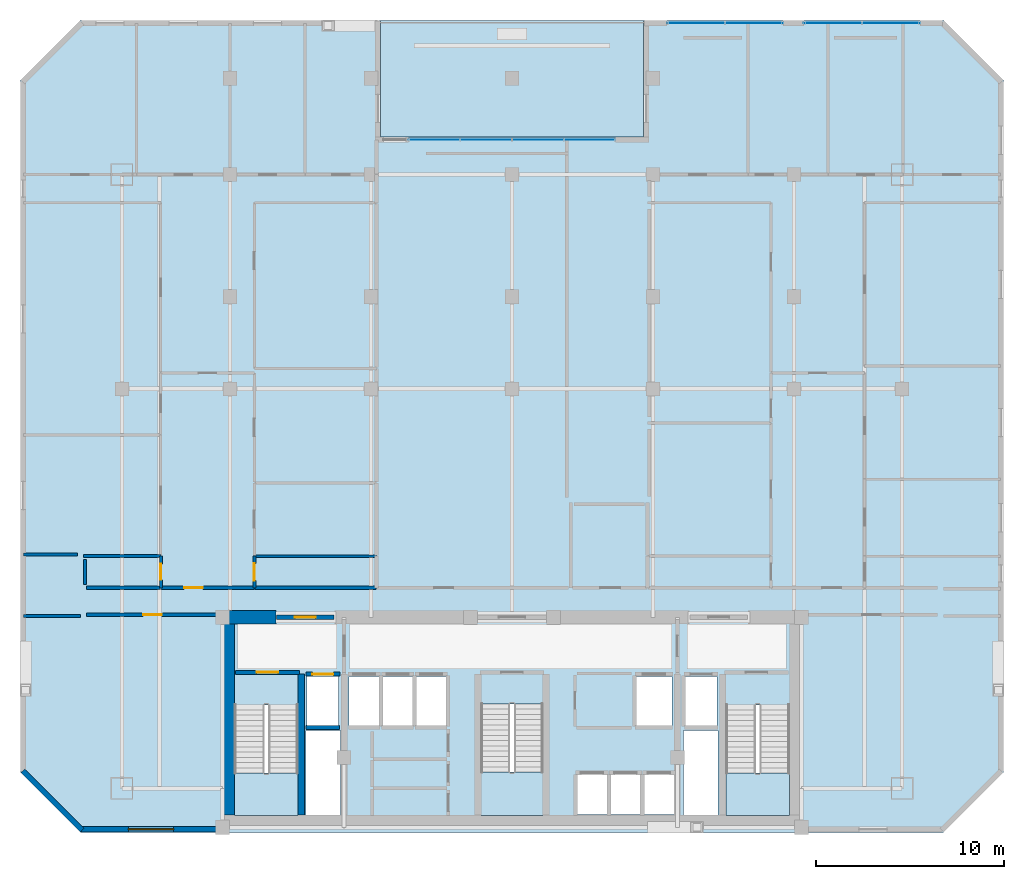
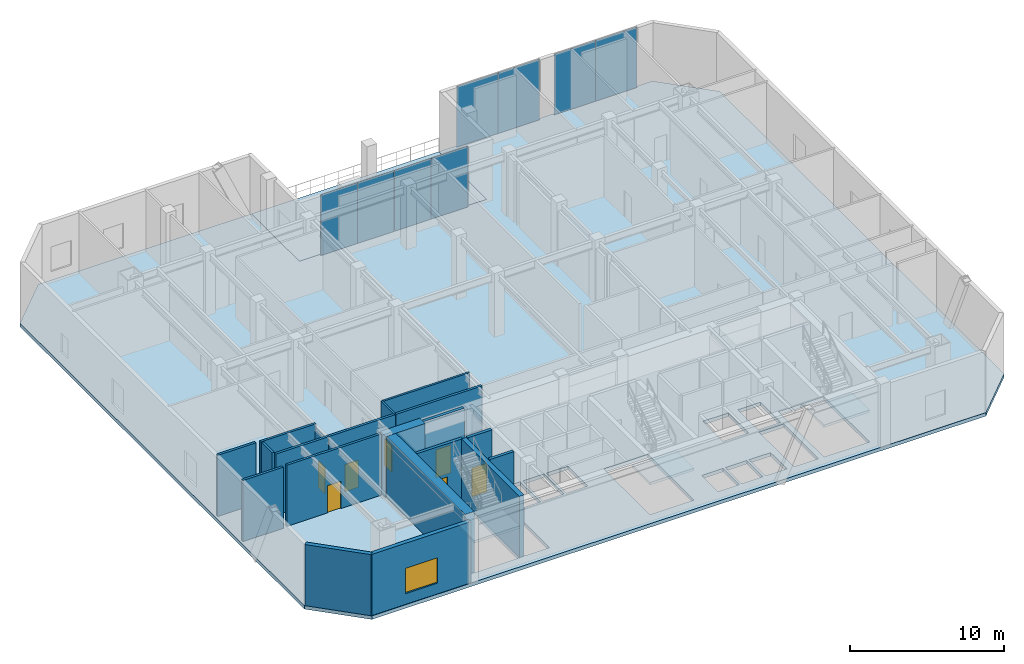
# One storey, part 5 of 11: 20 walls, 8 plates, 7 doors, 5 slabs, 1 window, 8 openings, 6 elements without a shape of their own.
"""IFC4 building model written with IfcOpenShell, lengths in metres."""

from ifc_helpers import new_model, si_unit, direction, frame, frame_2d, origin, origin_2d, place, context, subcontext, project, spatial, polyline, rectangle, outline, extrude, material, layer, layer_set, type_object, element, fill, aggregate, save


model = new_model("IFC4")

# Units and contexts
model_context = context("Model", 3, precision=1e-05, world=origin(), true_north=direction((0.0, 1.0)))
body_context = subcontext(model_context, "Body", "Model", "MODEL_VIEW")
ifc_project = project(units=[si_unit("LENGTHUNIT", "METRE"), si_unit("AREAUNIT", "SQUARE_METRE"), si_unit("VOLUMEUNIT", "CUBIC_METRE"), si_unit("PLANEANGLEUNIT", "RADIAN"), si_unit("MASSUNIT", "GRAM", prefix="KILO")], contexts=[model_context])

# Site, building, storey
site_placement = place(None, origin())
site = spatial("IfcSite", under=ifc_project, at=site_placement, CompositionType="ELEMENT")
building_placement = place(site_placement, origin())
building = spatial("IfcBuilding", under=site, at=building_placement, Name="Ventersveld Concourse Tower", CompositionType="ELEMENT")
storey_placement = place(building_placement, frame((0.0, 0.0, 140.14990234375)))
storey = spatial("IfcBuildingStorey", under=building, at=storey_placement, Name="L34", CompositionType="ELEMENT", Elevation=140.14990234375)

# Curtain wall, plates
ifc_material_1 = material(Name="Anodised aluminium EN AW-6063-T6", Category="aluminium")
curtain_wall_type_1 = type_object("IfcCurtainWallType", Name="CW-SLOB-3", PredefinedType="NOTDEFINED", material=ifc_material_1)
curtain_wall_1_placement = place(storey_placement, origin())
curtain_wall_1 = element("IfcCurtainWall", 1, at=curtain_wall_1_placement, inside=storey, type_object=curtain_wall_type_1, Name="L34 L34 Sky Lobby East Curtain Wall 1", PredefinedType="NOTDEFINED")
ifc_material_2 = material(Name="Low-E double glazing IGU", Category="glass")
ifc_layer_1 = layer(ifc_material_2, 0.02392578125)
ifc_layer_set_1 = layer_set([ifc_layer_1], Name="Low-E double glazing IGU")
plate_type = type_object("IfcPlateType", Name="CWP-GLZ-24", PredefinedType="CURTAIN_PANEL", material=ifc_layer_set_1)
plate_1_placement = place(storey_placement, frame((38.536376953125, 43.050048828125, 0.02001953125), z_axis=(0.0, 0.0, 1.0), x_axis=(1.0, 0.0, 0.0)))
plate_1 = element("IfcPlate", 2, at=plate_1_placement, type_object=plate_type, Name="CW-L34-SL-E1 Glazed Panel 01-1", PredefinedType="CURTAIN_PANEL", context=body_context, shape_type="SweptSolid", body=[
    extrude(rectangle(XDim=3.08251953125, YDim=0.02392578125, at=origin_2d()), origin(), (0.0, 0.0, 1.0), 4.7900390625),
])
plate_2_placement = place(storey_placement, frame((41.628662109375, 43.050048828125, 0.02001953125), z_axis=(0.0, 0.0, 1.0), x_axis=(1.0, 0.0, 0.0)))
plate_2 = element("IfcPlate", 3, at=plate_2_placement, type_object=plate_type, Name="CW-L34-SL-E1 Glazed Panel 02-1", PredefinedType="CURTAIN_PANEL", context=body_context, shape_type="SweptSolid", body=[
    extrude(rectangle(XDim=3.08251953125, YDim=0.02392578125, at=origin_2d()), origin(), (0.0, 0.0, 1.0), 4.7900390625),
])
aggregate(curtain_wall_1, [plate_1, plate_2])

curtain_wall_2_placement = place(storey_placement, origin())
curtain_wall_2 = element("IfcCurtainWall", 4, at=curtain_wall_2_placement, inside=storey, type_object=curtain_wall_type_1, Name="L34 L34 Sky Lobby East Curtain Wall 2", PredefinedType="NOTDEFINED")
plate_3_placement = place(storey_placement, frame((45.8212890625, 43.050048828125, 0.02001953125), z_axis=(0.0, 0.0, 1.0), x_axis=(1.0, 0.0, 0.0)))
plate_3 = element("IfcPlate", 5, at=plate_3_placement, type_object=plate_type, Name="CW-L34-SL-E2 Glazed Panel 01-1", PredefinedType="CURTAIN_PANEL", context=body_context, shape_type="SweptSolid", body=[
    extrude(rectangle(XDim=3.08251953125, YDim=0.02392578125, at=origin_2d()), origin(), (0.0, 0.0, 1.0), 4.7900390625),
])
plate_4_placement = place(storey_placement, frame((48.913818359375, 43.050048828125, 0.02001953125), z_axis=(0.0, 0.0, 1.0), x_axis=(1.0, 0.0, 0.0)))
plate_4 = element("IfcPlate", 6, at=plate_4_placement, type_object=plate_type, Name="CW-L34-SL-E2 Glazed Panel 02-1", PredefinedType="CURTAIN_PANEL", context=body_context, shape_type="SweptSolid", body=[
    extrude(rectangle(XDim=3.08251953125, YDim=0.02392578125, at=origin_2d()), origin(), (0.0, 0.0, 1.0), 4.7900390625),
])
aggregate(curtain_wall_2, [plate_3, plate_4])

curtain_wall_type_2 = type_object("IfcCurtainWallType", Name="CW-SG-4", PredefinedType="NOTDEFINED", material=ifc_material_1)
curtain_wall_3_placement = place(storey_placement, origin())
curtain_wall_3 = element("IfcCurtainWall", 7, at=curtain_wall_3_placement, inside=storey, type_object=curtain_wall_type_2, Name="L34 L34 Sky Garden Recessed Curtain Wall", PredefinedType="NOTDEFINED")
plate_5_placement = place(storey_placement, frame((24.625, 36.85009765625, 0.02001953125), z_axis=(0.0, 0.0, 1.0), x_axis=(1.0, 0.0, 0.0)))
plate_5 = element("IfcPlate", 8, at=plate_5_placement, type_object=plate_type, Name="CW-L34-SG Glazed Panel 01-1", PredefinedType="CURTAIN_PANEL", context=body_context, shape_type="SweptSolid", body=[
    extrude(rectangle(XDim=2.739990234375, YDim=0.02392578125, at=origin_2d()), origin(), (0.0, 0.0, 1.0), 4.7900390625),
])
plate_6_placement = place(storey_placement, frame((27.375, 36.85009765625, 0.02001953125), z_axis=(0.0, 0.0, 1.0), x_axis=(1.0, 0.0, 0.0)))
plate_6 = element("IfcPlate", 9, at=plate_6_placement, type_object=plate_type, Name="CW-L34-SG Glazed Panel 02-1", PredefinedType="CURTAIN_PANEL", context=body_context, shape_type="SweptSolid", body=[
    extrude(rectangle(XDim=2.739990234375, YDim=0.02392578125, at=origin_2d()), origin(), (0.0, 0.0, 1.0), 4.7900390625),
])
plate_7_placement = place(storey_placement, frame((30.125, 36.85009765625, 0.02001953125), z_axis=(0.0, 0.0, 1.0), x_axis=(1.0, 0.0, 0.0)))
plate_7 = element("IfcPlate", 10, at=plate_7_placement, type_object=plate_type, Name="CW-L34-SG Glazed Panel 03-1", PredefinedType="CURTAIN_PANEL", context=body_context, shape_type="SweptSolid", body=[
    extrude(rectangle(XDim=2.739990234375, YDim=0.02392578125, at=origin_2d()), origin(), (0.0, 0.0, 1.0), 4.7900390625),
])
plate_8_placement = place(storey_placement, frame((32.875, 36.85009765625, 0.02001953125), z_axis=(0.0, 0.0, 1.0), x_axis=(1.0, 0.0, 0.0)))
plate_8 = element("IfcPlate", 11, at=plate_8_placement, type_object=plate_type, Name="CW-L34-SG Glazed Panel 04-1", PredefinedType="CURTAIN_PANEL", context=body_context, shape_type="SweptSolid", body=[
    extrude(rectangle(XDim=2.739990234375, YDim=0.02392578125, at=origin_2d()), origin(), (0.0, 0.0, 1.0), 4.7900390625),
])
aggregate(curtain_wall_3, [plate_5, plate_6, plate_7, plate_8])

# Slab
ifc_material_3 = material(Name="Concrete C50/60", Category="concrete")
ifc_layer_2 = layer(ifc_material_3, 0.280029296875)
ifc_layer_set_2 = layer_set([ifc_layer_2], Name="Concrete C50/60")
slab_type_1 = type_object("IfcSlabType", Name="SL-FLR-280", PredefinedType="FLOOR", material=ifc_layer_set_2)
slab_1_placement = place(storey_placement, frame((0.0, 0.0, -0.27978515625)))
element("IfcSlab", 12, at=slab_1_placement, inside=storey, type_object=slab_type_1, Name="L34 Composite Floor Slab", PredefinedType="FLOOR", context=body_context, shape_type="SweptSolid", body=[
    extrude(outline(polyline([(5.800048828125, 0.0), (51.699951171875, 0.0), (54.89990234375, 3.199951171875), (54.89990234375, 40.0), (51.699951171875, 43.199951171875), (35.75, 43.199951171875), (35.75, 37.0), (21.75, 37.0), (21.75, 43.199951171875), (5.800048828125, 43.199951171875), (2.60009765625, 40.0), (2.60009765625, 3.199951171875), (5.800048828125, 0.0)]), holes=[polyline([(13.97998046875, 6.794921875), (13.97998046875, 0.89990234375), (17.3798828125, 0.89990234375), (17.3798828125, 6.794921875), (13.97998046875, 6.794921875)]), polyline([(40.1201171875, 6.794921875), (40.1201171875, 0.89990234375), (43.52001953125, 0.89990234375), (43.52001953125, 6.794921875), (40.1201171875, 6.794921875)]), polyline([(27.10009765625, 6.844970703125), (27.10009765625, 0.89990234375), (30.39990234375, 0.89990234375), (30.39990234375, 6.844970703125), (27.10009765625, 6.844970703125)]), polyline([(17.85009765625, 5.699951171875), (19.530029296875, 5.699951171875), (19.530029296875, 8.300048828125), (17.85009765625, 8.300048828125), (17.85009765625, 5.699951171875)]), polyline([(37.969970703125, 5.699951171875), (39.64990234375, 5.699951171875), (39.64990234375, 8.300048828125), (37.969970703125, 8.300048828125), (37.969970703125, 5.699951171875)]), polyline([(35.35009765625, 5.699951171875), (37.25, 5.699951171875), (37.25, 8.300048828125), (35.35009765625, 8.300048828125), (35.35009765625, 5.699951171875)]), polyline([(32.2099609375, 0.949951171875), (33.81005859375, 0.949951171875), (33.81005859375, 3.050048828125), (32.2099609375, 3.050048828125), (32.2099609375, 0.949951171875)]), polyline([(33.989990234375, 0.949951171875), (35.590087890625, 0.949951171875), (35.590087890625, 3.050048828125), (33.989990234375, 3.050048828125), (33.989990234375, 0.949951171875)]), polyline([(35.77001953125, 0.949951171875), (37.3701171875, 0.949951171875), (37.3701171875, 3.050048828125), (35.77001953125, 3.050048828125), (35.77001953125, 0.949951171875)]), polyline([(20.090087890625, 5.699951171875), (21.68994140625, 5.699951171875), (21.68994140625, 8.300048828125), (20.090087890625, 8.300048828125), (20.090087890625, 5.699951171875)]), polyline([(21.8701171875, 5.699951171875), (23.469970703125, 5.699951171875), (23.469970703125, 8.300048828125), (21.8701171875, 8.300048828125), (21.8701171875, 5.699951171875)]), polyline([(23.64990234375, 5.699951171875), (25.25, 5.699951171875), (25.25, 8.300048828125), (23.64990234375, 8.300048828125), (23.64990234375, 5.699951171875)]), polyline([(17.780029296875, 0.919921875), (19.6201171875, 0.919921875), (19.6201171875, 5.419921875), (17.780029296875, 5.419921875), (17.780029296875, 0.919921875)]), polyline([(37.8798828125, 0.919921875), (39.719970703125, 0.919921875), (39.719970703125, 5.419921875), (37.8798828125, 5.419921875), (37.8798828125, 0.919921875)])]), origin(), (0.0, 0.0, 1.0), 0.27978515625),
])

# Stair, slab
stair_type_1 = type_object("IfcStairType", Name="ST-DOG-160", PredefinedType="HALF_TURN_STAIR", material=ifc_material_3)
stair_1_placement = place(storey_placement, origin())
stair_1 = element("IfcStair", 13, at=stair_1_placement, inside=storey, type_object=stair_type_1, Name="L34 Protected Tower Escape Stair ST-01", PredefinedType="HALF_TURN_STAIR")
ifc_layer_3 = layer(ifc_material_3, 0.199951171875)
ifc_layer_set_3 = layer_set([ifc_layer_3], Name="Concrete C50/60")
slab_type_2 = type_object("IfcSlabType", Name="SL-LND-200", PredefinedType="LANDING", material=ifc_layer_set_3)
slab_2_placement = place(storey_placement, frame((0.0, 0.0, 2.3251953125)))
slab_2 = element("IfcSlab", 14, at=slab_2_placement, type_object=slab_type_2, Name="ST-01 landing 1", PredefinedType="LANDING", context=body_context, shape_type="SweptSolid", body=[
    extrude(outline(polyline([(13.97998046875, 3.159912109375), (13.97998046875, 0.89990234375), (17.3798828125, 0.89990234375), (17.3798828125, 3.159912109375), (13.97998046875, 3.159912109375)])), origin(), (0.0, 0.0, 1.0), 0.199951171875),
])
aggregate(stair_1, [slab_2])

stair_2_placement = place(storey_placement, origin())
stair_2 = element("IfcStair", 15, at=stair_2_placement, inside=storey, type_object=stair_type_1, Name="L34 Protected Tower Escape Stair ST-02", PredefinedType="HALF_TURN_STAIR")
slab_3_placement = place(storey_placement, frame((0.0, 0.0, 2.3251953125)))
slab_3 = element("IfcSlab", 16, at=slab_3_placement, type_object=slab_type_2, Name="ST-02 landing 1", PredefinedType="LANDING", context=body_context, shape_type="SweptSolid", body=[
    extrude(outline(polyline([(40.1201171875, 3.159912109375), (40.1201171875, 0.89990234375), (43.52001953125, 0.89990234375), (43.52001953125, 3.159912109375), (40.1201171875, 3.159912109375)])), origin(), (0.0, 0.0, 1.0), 0.199951171875),
])
aggregate(stair_2, [slab_3])

stair_type_2 = type_object("IfcStairType", Name="ST-DOG-155", PredefinedType="HALF_TURN_STAIR", material=ifc_material_3)
stair_3_placement = place(storey_placement, origin())
stair_3 = element("IfcStair", 17, at=stair_3_placement, inside=storey, type_object=stair_type_2, Name="L34 Protected Central Core Escape Stair ST-03", PredefinedType="HALF_TURN_STAIR")
slab_4_placement = place(storey_placement, frame((0.0, 0.0, 2.3251953125)))
slab_4 = element("IfcSlab", 18, at=slab_4_placement, type_object=slab_type_2, Name="ST-03 landing 1", PredefinedType="LANDING", context=body_context, shape_type="SweptSolid", body=[
    extrude(outline(polyline([(27.10009765625, 3.2099609375), (27.10009765625, 0.89990234375), (30.39990234375, 0.89990234375), (30.39990234375, 3.2099609375), (27.10009765625, 3.2099609375)])), origin(), (0.0, 0.0, 1.0), 0.199951171875),
])
aggregate(stair_3, [slab_4])

# Slab
ifc_layer_4 = layer(ifc_material_3, 0.25)
ifc_layer_set_4 = layer_set([ifc_layer_4], Name="Concrete C50/60")
slab_type_3 = type_object("IfcSlabType", Name="SL-ROOF-250", PredefinedType="ROOF", material=ifc_layer_set_4)
slab_5_placement = place(storey_placement, frame((0.0, 0.0, -0.25)))
element("IfcSlab", 19, at=slab_5_placement, inside=storey, type_object=slab_type_3, Name="L34 Outdoor Terrace Slab SKYGARDEN", PredefinedType="ROOF", context=body_context, shape_type="SweptSolid", body=[
    extrude(outline(polyline([(21.75, 37.0), (35.75, 37.0), (35.75, 43.199951171875), (21.75, 43.199951171875), (21.75, 37.0)])), origin(), (0.0, 0.0, 1.0), 0.25),
])

# Walls
ifc_material_4 = material(Name="Concrete C60/75", Category="concrete")
ifc_layer_5 = layer(ifc_material_4, 0.35009765625)
ifc_layer_set_5 = layer_set([ifc_layer_5], Name="Concrete C60/75")
wall_type_1 = type_object("IfcWallType", Name="WL-CORE-350L", PredefinedType="SHEAR", material=ifc_layer_set_5)
wall_1_placement = place(storey_placement, frame((17.5400390625, 0.919921875, 0.0), z_axis=(0.0, 0.0, 1.0), x_axis=(0.0, 1.0, 0.0)))
element("IfcWall", 20, at=wall_1_placement, inside=storey, type_object=wall_type_1, Name="L34 Core Internal Shear Web W-ST1-E", PredefinedType="SHEAR", context=body_context, shape_type="SweptSolid", body=[
    extrude(rectangle(XDim=7.5, YDim=0.35009765625, at=frame_2d((3.75, 0.0))), origin(), (0.0, 0.0, 1.0), 4.830078125),
])
ifc_layer_6 = layer(ifc_material_4, 0.699951171875)
ifc_layer_set_6 = layer_set([ifc_layer_6], Name="Concrete C60/75")
wall_type_2 = type_object("IfcWallType", Name="WL-CORE-700", PredefinedType="SHEAR", material=ifc_layer_set_6)
wall_2_placement = place(storey_placement, frame((13.64990234375, 0.919921875, 0.0), z_axis=(0.0, 0.0, 1.0), x_axis=(0.0, 1.0, 0.0)))
element("IfcWall", 21, at=wall_2_placement, inside=storey, type_object=wall_type_2, Name="L34 Rear Core West Shear Wall", PredefinedType="SHEAR", context=body_context, shape_type="SweptSolid", body=[
    extrude(rectangle(XDim=10.530029296875, YDim=0.699951171875, at=frame_2d((5.26513671875, 0.0))), origin(), (0.0, 0.0, 1.0), 4.830078125),
])
wall_3_placement = place(storey_placement, frame((13.25, 11.449951171875, 0.0), z_axis=(0.0, 0.0, 1.0), x_axis=(1.0, 0.0, 0.0)))
element("IfcWall", 22, at=wall_3_placement, inside=storey, type_object=wall_type_2, Name="L34 Rear Core North Shear Wall NW", PredefinedType="SHEAR", context=body_context, shape_type="SweptSolid", body=[
    extrude(rectangle(XDim=2.949951171875, YDim=0.699951171875, at=frame_2d((1.47509765625, 0.0))), origin(), (0.0, 0.0, 1.0), 4.830078125),
])

# Wall, opening, door
ifc_material_5 = material(Name="Fire-rated autoclaved aerated masonry blockwork", Category="masonry")
ifc_layer_7 = layer(ifc_material_5, 0.179931640625)
ifc_layer_set_7 = layer_set([ifc_layer_7], Name="Fire-rated autoclaved aerated masonry blockwork")
wall_type_3 = type_object("IfcWallType", Name="WL-CORR-180", PredefinedType="PARTITIONING", material=ifc_layer_set_7)
wall_4_placement = place(storey_placement, frame((6.10498046875, 11.5849609375, 0.0), z_axis=(0.0, 0.0, 1.0), x_axis=(1.0, 0.0, 0.0)))
wall_4 = element("IfcWall", 23, at=wall_4_placement, inside=storey, type_object=wall_type_3, Name="L34 Interior Partition SP-L34-SW-GAL-SP-L34-COR", PredefinedType="PARTITIONING", context=body_context, shape_type="SweptSolid", body=[
    extrude(rectangle(XDim=7.0400390625, YDim=0.179931640625, at=frame_2d((3.52001953125, 0.0))), origin(), (0.0, 0.0, 1.0), 4.830078125),
])
opening_1_placement = place(wall_4_placement, frame((3.02001953125, 0.0, 0.0)))
opening_1 = element("IfcOpeningElement", 24, at=opening_1_placement, cuts=wall_4, Name="Opening FD3", PredefinedType="OPENING", context=body_context, shape_type="SweptSolid", body=[
    extrude(rectangle(XDim=1.0, YDim=2.14990234375, at=frame_2d((0.5, 1.074951171875))), frame((0.0, 0.10009765625, 0.0), z_axis=(0.0, -1.0, 0.0), x_axis=(1.0, 0.0, 0.0)), (0.0, 0.0, 1.0), 0.199951171875),
])
ifc_material_6 = material(Name="Solid-core hardwood veneer timber", Category="wood")
door_type_1 = type_object("IfcDoorType", Name="DR-FLAT-100", OperationType="NOTDEFINED", PredefinedType="DOOR", material=ifc_material_6)
door_1_placement = place(opening_1_placement, origin())
door_1 = element("IfcDoor", 25, at=door_1_placement, inside=storey, type_object=door_type_1, Name="L34 Interior Door SP-L34-SW-GAL to SP-L34-COR (D-L34-1667)", OperationType="SINGLE_SWING_LEFT", OverallHeight=2.14990234375, OverallWidth=1.0, PredefinedType="DOOR", context=body_context, shape_type="SweptSolid", body=[
    extrude(rectangle(XDim=1.0, YDim=2.14990234375, at=frame_2d((0.5, 1.074951171875))), frame((0.0, 0.02490234375, 0.0), z_axis=(0.0, -1.0, 0.0), x_axis=(1.0, 0.0, 0.0)), (0.0, 0.0, 1.0), 0.050048828125),
])
fill(opening_1, door_1)

wall_5_placement = place(storey_placement, frame((10.064697265625, 13.030029296875, 0.0), z_axis=(0.0, 0.0, 1.0), x_axis=(1.0, 0.0, 0.0)))
wall_5 = element("IfcWall", 26, at=wall_5_placement, inside=storey, type_object=wall_type_3, Name="L34 Interior Partition SP-L34-COR-SP-L34-34CW-FOY", PredefinedType="PARTITIONING", context=body_context, shape_type="SweptSolid", body=[
    extrude(rectangle(XDim=4.989990234375, YDim=0.179931640625, at=frame_2d((2.4951171875, 0.0))), origin(), (0.0, 0.0, 1.0), 4.830078125),
])
opening_2_placement = place(wall_5_placement, frame((1.24658203125, 0.0, 0.0)))
opening_2 = element("IfcOpeningElement", 27, at=opening_2_placement, cuts=wall_5, Name="Opening FD3", PredefinedType="OPENING", context=body_context, shape_type="SweptSolid", body=[
    extrude(rectangle(XDim=1.0, YDim=2.14990234375, at=frame_2d((0.5, 1.074951171875))), frame((0.0, 0.10009765625, 0.0), z_axis=(0.0, -1.0, 0.0), x_axis=(1.0, 0.0, 0.0)), (0.0, 0.0, 1.0), 0.199951171875),
])
door_2_placement = place(opening_2_placement, origin())
door_2 = element("IfcDoor", 28, at=door_2_placement, inside=storey, type_object=door_type_1, Name="L34 Interior Door SP-L34-COR to SP-L34-34CW-FOY (FD-L34-1671)", OperationType="SINGLE_SWING_LEFT", OverallHeight=2.14990234375, OverallWidth=1.0, PredefinedType="DOOR", context=body_context, shape_type="SweptSolid", body=[
    extrude(rectangle(XDim=1.0, YDim=2.14990234375, at=frame_2d((0.5, 1.074951171875))), frame((0.0, 0.02490234375, 0.0), z_axis=(0.0, -1.0, 0.0), x_axis=(1.0, 0.0, 0.0)), (0.0, 0.0, 1.0), 0.050048828125),
])
fill(opening_2, door_2)

# Walls
wall_6_placement = place(storey_placement, frame((6.10498046875, 13.030029296875, 0.0), z_axis=(0.0, 0.0, 1.0), x_axis=(1.0, 0.0, 0.0)))
element("IfcWall", 29, at=wall_6_placement, inside=storey, type_object=wall_type_3, Name="L34 Interior Partition SP-L34-COR-SP-L34-34CW-BATH", PredefinedType="PARTITIONING", context=body_context, shape_type="SweptSolid", body=[
    extrude(rectangle(XDim=3.9296875, YDim=0.179931640625, at=frame_2d((1.96484375, 0.0))), origin(), (0.0, 0.0, 1.0), 4.830078125),
])
wall_7_placement = place(storey_placement, frame((15.084716796875, 13.030029296875, 0.0), z_axis=(0.0, 0.0, 1.0), x_axis=(1.0, 0.0, 0.0)))
element("IfcWall", 30, at=wall_7_placement, inside=storey, type_object=wall_type_3, Name="L34 Interior Partition SP-L34-COR-SP-L34-34CW-KIT", PredefinedType="PARTITIONING", context=body_context, shape_type="SweptSolid", body=[
    extrude(rectangle(XDim=6.420166015625, YDim=0.179931640625, at=frame_2d((3.2099609375, 0.0))), origin(), (0.0, 0.0, 1.0), 4.830078125),
])
wall_8_placement = place(storey_placement, frame((2.7724609375, 11.52001953125, 0.0), z_axis=(0.0, 0.0, 1.0), x_axis=(1.0, 0.0, 0.0)))
element("IfcWall", 31, at=wall_8_placement, inside=storey, type_object=wall_type_3, Name="L34 Room Enclosure Wall SP-L34-SW-GAL", PredefinedType="PARTITIONING", context=body_context, shape_type="SweptSolid", body=[
    extrude(rectangle(XDim=3.01318359375, YDim=0.179931640625, at=frame_2d((1.506591796875, 0.0))), origin(), (0.0, 0.0, 1.0), 4.830078125),
])
wall_9_placement = place(storey_placement, frame((5.630126953125, 14.7900390625, 0.0), z_axis=(0.0, 0.0, 1.0), x_axis=(-1.0, 0.0, 0.0)))
element("IfcWall", 32, at=wall_9_placement, inside=storey, type_object=wall_type_3, Name="L34 Room Enclosure Wall SP-L34-34CW-MEDL0", PredefinedType="PARTITIONING", context=body_context, shape_type="SweptSolid", body=[
    extrude(rectangle(XDim=2.857666015625, YDim=0.179931640625, at=frame_2d((1.4287109375, 0.0))), origin(), (0.0, 0.0, 1.0), 4.830078125),
])
ifc_layer_8 = layer(ifc_material_5, 0.219970703125)
ifc_layer_set_8 = layer_set([ifc_layer_8], Name="Fire-rated autoclaved aerated masonry blockwork")
wall_type_4 = type_object("IfcWallType", Name="WL-HOIST-220", PredefinedType="SOLIDWALL", material=ifc_layer_set_8)
wall_10_placement = place(storey_placement, frame((17.800048828125, 5.590087890625, 0.0), z_axis=(0.0, 0.0, 1.0), x_axis=(1.0, 0.0, 0.0)))
element("IfcWall", 33, at=wall_10_placement, inside=storey, type_object=wall_type_4, Name="L34 Lift Hoistway Back Wall FFL-01", PredefinedType="SOLIDWALL", context=body_context, shape_type="SweptSolid", body=[
    extrude(rectangle(XDim=1.780029296875, YDim=0.219970703125, at=frame_2d((0.89013671875, 0.0))), origin(), (0.0, 0.0, 1.0), 4.830078125),
])

# Wall, opening, door
wall_11_placement = place(storey_placement, frame((17.780029296875, 8.429931640625, 0.0), z_axis=(0.0, 0.0, 1.0), x_axis=(1.0, 0.0, 0.0)))
wall_11 = element("IfcWall", 34, at=wall_11_placement, inside=storey, type_object=wall_type_4, Name="L34 Lift Hoistway Front Wall FFL-01", PredefinedType="SOLIDWALL", context=body_context, shape_type="SweptSolid", body=[
    extrude(rectangle(XDim=1.820068359375, YDim=0.219970703125, at=frame_2d((0.91015625, 0.0))), origin(), (0.0, 0.0, 1.0), 4.830078125),
])
opening_3_placement = place(wall_11_placement, frame((0.35009765625, 0.0, 0.0)))
opening_3 = element("IfcOpeningElement", 35, at=opening_3_placement, cuts=wall_11, Name="Opening LD1", PredefinedType="OPENING", context=body_context, shape_type="SweptSolid", body=[
    extrude(rectangle(XDim=1.1201171875, YDim=2.25, at=frame_2d((0.56005859375, 1.125))), frame((0.0, 0.1201171875, 0.0), z_axis=(0.0, -1.0, 0.0), x_axis=(1.0, 0.0, 0.0)), (0.0, 0.0, 1.0), 0.239990234375),
])
ifc_material_7 = material(Name="Brushed stainless steel 316", Category="steel")
door_type_2 = type_object("IfcDoorType", Name="LD-FF-112", OperationType="SLIDING_TO_LEFT", PredefinedType="DOOR", material=ifc_material_7)
door_3_placement = place(opening_3_placement, origin())
door_3 = element("IfcDoor", 36, at=door_3_placement, inside=storey, type_object=door_type_2, Name="L34 Lift landing door FFL-01 (LD-L34-FFL-01)", OperationType="SLIDING_TO_RIGHT", OverallHeight=2.25, OverallWidth=1.1201171875, PredefinedType="DOOR", context=body_context, shape_type="SweptSolid", body=[
    extrude(rectangle(XDim=1.1201171875, YDim=2.25, at=frame_2d((0.56005859375, 1.125))), frame((0.0, 0.02490234375, 0.0), z_axis=(0.0, -1.0, 0.0), x_axis=(1.0, 0.0, 0.0)), (0.0, 0.0, 1.0), 0.050048828125),
])
fill(opening_3, door_3)

wall_12_placement = place(storey_placement, frame((14.0400390625, 8.52001953125, 0.0), z_axis=(0.0, 0.0, 1.0), x_axis=(1.0, 0.0, 0.0)))
wall_12 = element("IfcWall", 37, at=wall_12_placement, inside=storey, type_object=wall_type_4, Name="L34 Escape Stair ST01 Fire Wall", PredefinedType="SOLIDWALL", context=body_context, shape_type="SweptSolid", body=[
    extrude(rectangle(XDim=3.39990234375, YDim=0.219970703125, at=frame_2d((1.699951171875, 0.0))), origin(), (0.0, 0.0, 1.0), 4.830078125),
])
opening_4_placement = place(wall_12_placement, frame((1.125, 0.0, 0.0)))
opening_4 = element("IfcOpeningElement", 38, at=opening_4_placement, cuts=wall_12, Name="Opening FD1", PredefinedType="OPENING", context=body_context, shape_type="SweptSolid", body=[
    extrude(rectangle(XDim=1.14990234375, YDim=2.199951171875, at=frame_2d((0.574951171875, 1.10009765625))), frame((0.0, 0.1201171875, 0.0), z_axis=(0.0, -1.0, 0.0), x_axis=(1.0, 0.0, 0.0)), (0.0, 0.0, 1.0), 0.239990234375),
])
ifc_material_8 = material(Name="Galvanised painted steel", Category="steel")
door_type_3 = type_object("IfcDoorType", Name="DR-STAIR-115", OperationType="NOTDEFINED", PredefinedType="DOOR", material=ifc_material_8)
door_4_placement = place(opening_4_placement, origin())
door_4 = element("IfcDoor", 39, at=door_4_placement, inside=storey, type_object=door_type_3, Name="L34 Escape Stair Door ST01 (SD-L34-1655)", OperationType="SINGLE_SWING_LEFT", OverallHeight=2.199951171875, OverallWidth=1.14990234375, PredefinedType="DOOR", context=body_context, shape_type="SweptSolid", body=[
    extrude(rectangle(XDim=1.14990234375, YDim=2.199951171875, at=frame_2d((0.574951171875, 1.10009765625))), frame((0.0, 0.02490234375, 0.0), z_axis=(0.0, -1.0, 0.0), x_axis=(1.0, 0.0, 0.0)), (0.0, 0.0, 1.0), 0.050048828125),
])
fill(opening_4, door_4)

wall_13_placement = place(storey_placement, frame((16.22998046875, 11.449951171875, 0.0), z_axis=(0.0, 0.0, 1.0), x_axis=(1.0, 0.0, 0.0)))
wall_13 = element("IfcWall", 40, at=wall_13_placement, inside=storey, type_object=wall_type_4, Name="L34 Core North Fire Portal FFLW-OUT", PredefinedType="SOLIDWALL", context=body_context, shape_type="SweptSolid", body=[
    extrude(rectangle(XDim=3.0400390625, YDim=0.219970703125, at=frame_2d((1.52001953125, 0.0))), origin(), (0.0, 0.0, 1.0), 4.830078125),
])
opening_5_placement = place(wall_13_placement, frame((0.969970703125, 0.0, 0.0)))
opening_5 = element("IfcOpeningElement", 41, at=opening_5_placement, cuts=wall_13, Name="Opening FD2", PredefinedType="OPENING", context=body_context, shape_type="SweptSolid", body=[
    extrude(rectangle(XDim=1.10009765625, YDim=2.199951171875, at=frame_2d((0.550048828125, 1.10009765625))), frame((0.0, 0.1201171875, 0.0), z_axis=(0.0, -1.0, 0.0), x_axis=(1.0, 0.0, 0.0)), (0.0, 0.0, 1.0), 0.239990234375),
])
door_type_4 = type_object("IfcDoorType", Name="DR-FFL-110", OperationType="NOTDEFINED", PredefinedType="DOOR", material=ifc_material_8)
door_5_placement = place(opening_5_placement, origin())
door_5 = element("IfcDoor", 42, at=door_5_placement, inside=storey, type_object=door_type_4, Name="L34 Core Lobby Fire Door FFLW-OUT (FD-L34-1660)", OperationType="SINGLE_SWING_RIGHT", OverallHeight=2.199951171875, OverallWidth=1.10009765625, PredefinedType="DOOR", context=body_context, shape_type="SweptSolid", body=[
    extrude(rectangle(XDim=1.10009765625, YDim=2.199951171875, at=frame_2d((0.550048828125, 1.10009765625))), frame((0.0, 0.02490234375, 0.0), z_axis=(0.0, -1.0, 0.0), x_axis=(1.0, 0.0, 0.0)), (0.0, 0.0, 1.0), 0.050048828125),
])
fill(opening_5, door_5)

ifc_material_9 = material(Name="Autoclaved aerated masonry blockwork", Category="masonry")
ifc_layer_9 = layer(ifc_material_9, 0.14990234375)
ifc_layer_set_9 = layer_set([ifc_layer_9], Name="Autoclaved aerated masonry blockwork")
wall_type_5 = type_object("IfcWallType", Name="WL-INT-150", PredefinedType="PARTITIONING", material=ifc_layer_set_9)
wall_14_placement = place(storey_placement, frame((15.049560546875, 13.014892578125, 0.0), z_axis=(0.0, 0.0, 1.0), x_axis=(0.0, 1.0, 0.0)))
wall_14 = element("IfcWall", 43, at=wall_14_placement, inside=storey, type_object=wall_type_5, Name="L34 Interior Partition SP-L34-34CW-FOY-SP-L34-34CW-KIT", PredefinedType="PARTITIONING", context=body_context, shape_type="SweptSolid", body=[
    extrude(rectangle(XDim=1.690185546875, YDim=0.14990234375, at=frame_2d((0.84521484375, 0.0))), origin(), (0.0, 0.0, 1.0), 4.830078125),
])
opening_6_placement = place(wall_14_placement, frame((0.385009765625, 0.0, 0.0)))
opening_6 = element("IfcOpeningElement", 44, at=opening_6_placement, cuts=wall_14, Name="Opening ID1", PredefinedType="OPENING", context=body_context, shape_type="SweptSolid", body=[
    extrude(rectangle(XDim=0.919921875, YDim=2.10009765625, at=frame_2d((0.4599609375, 1.050048828125))), frame((0.0, 0.0849609375, 0.0), z_axis=(0.0, -1.0, 0.0), x_axis=(1.0, 0.0, 0.0)), (0.0, 0.0, 1.0), 0.169921875),
])
door_type_5 = type_object("IfcDoorType", Name="DR-ROOM-092", OperationType="NOTDEFINED", PredefinedType="DOOR", material=ifc_material_6)
door_6_placement = place(opening_6_placement, origin())
door_6 = element("IfcDoor", 45, at=door_6_placement, inside=storey, type_object=door_type_5, Name="L34 Interior Door SP-L34-34CW-FOY to SP-L34-34CW-KIT (D-L34-1677)", OperationType="SINGLE_SWING_LEFT", OverallHeight=2.10009765625, OverallWidth=0.919921875, PredefinedType="DOOR", context=body_context, shape_type="SweptSolid", body=[
    extrude(rectangle(XDim=0.919921875, YDim=2.10009765625, at=frame_2d((0.4599609375, 1.050048828125))), frame((0.0, 0.02490234375, 0.0), z_axis=(0.0, -1.0, 0.0), x_axis=(1.0, 0.0, 0.0)), (0.0, 0.0, 1.0), 0.050048828125),
])
fill(opening_6, door_6)

# Wall
wall_15_placement = place(storey_placement, frame((15.044677734375, 14.699951171875, 0.0), z_axis=(0.0, 0.0, 1.0), x_axis=(1.0, 0.0, 0.0)))
element("IfcWall", 46, at=wall_15_placement, inside=storey, type_object=wall_type_5, Name="L34 Interior Partition SP-L34-34CW-KIT-SP-L34-34CW-SEMR1", PredefinedType="PARTITIONING", context=body_context, shape_type="SweptSolid", body=[
    extrude(rectangle(XDim=6.500244140625, YDim=0.14990234375, at=frame_2d((3.25, 0.0))), origin(), (0.0, 0.0, 1.0), 4.830078125),
])

# Wall, opening, window
ifc_material_10 = material(Name="Precast concrete C45/55", Category="concrete")
ifc_layer_10 = layer(ifc_material_10, 0.300048828125)
ifc_layer_set_10 = layer_set([ifc_layer_10], Name="Precast concrete C45/55")
wall_type_6 = type_object("IfcWallType", Name="WL-PREC-300", PredefinedType="SOLIDWALL", material=ifc_layer_set_10)
wall_16_placement = place(storey_placement, frame((5.840087890625, 0.179931640625, 0.0), z_axis=(0.0, 0.0, 1.0), x_axis=(1.0, 0.0, 0.0)))
wall_16 = element("IfcWall", 47, at=wall_16_placement, inside=storey, type_object=wall_type_6, Name="L34 South-West Flank Precast Wall", PredefinedType="SOLIDWALL", context=body_context, shape_type="SweptSolid", body=[
    extrude(rectangle(XDim=7.409912109375, YDim=0.300048828125, at=frame_2d((3.705078125, 0.0))), origin(), (0.0, 0.0, 1.0), 4.830078125),
])
opening_7_placement = place(wall_16_placement, frame((2.5048828125, 0.0, 0.85009765625)))
opening_7 = element("IfcOpeningElement", 48, at=opening_7_placement, cuts=wall_16, Name="Opening W5", PredefinedType="OPENING", context=body_context, shape_type="SweptSolid", body=[
    extrude(rectangle(XDim=2.39990234375, YDim=2.0, at=frame_2d((1.199951171875, 1.0))), frame((0.0, 0.16015625, 0.0), z_axis=(0.0, -1.0, 0.0), x_axis=(1.0, 0.0, 0.0)), (0.0, 0.0, 1.0), 0.320068359375),
])
ifc_material_11 = material(Name="Tempered acoustic Low-E IGU", Category="glass")
window_type = type_object("IfcWindowType", Name="WIN-240x210", PartitioningType="SINGLE_PANEL", PredefinedType="WINDOW", material=ifc_material_11)
window_placement = place(opening_7_placement, origin())
window = element("IfcWindow", 49, at=window_placement, inside=storey, type_object=window_type, Name="L34 Punched Low-E Window W-0429", OverallHeight=2.0, OverallWidth=2.39990234375, PartitioningType="SINGLE_PANEL", PredefinedType="WINDOW", context=body_context, shape_type="SweptSolid", body=[
    extrude(rectangle(XDim=2.39990234375, YDim=2.0, at=frame_2d((1.199951171875, 1.0))), frame((0.0, 0.030029296875, 0.0), z_axis=(0.0, -1.0, 0.0), x_axis=(1.0, 0.0, 0.0)), (0.0, 0.0, 1.0), 0.06005859375),
])
fill(opening_7, window)

# Wall
wall_17_placement = place(storey_placement, frame((2.734375, 3.27783203125, 0.0), z_axis=(0.0, 0.0, 1.0), x_axis=(0.707106781187, -0.707106781187, 0.0)))
element("IfcWall", 50, at=wall_17_placement, inside=storey, type_object=wall_type_6, Name="L34 Highveld Precast Facade Wall E12", PredefinedType="SOLIDWALL", context=body_context, shape_type="SweptSolid", body=[
    extrude(rectangle(XDim=4.4453125, YDim=0.300048828125, at=frame_2d((2.22265625, 0.0))), origin(), (0.0, 0.0, 1.0), 4.830078125),
])

# Wall, opening, door
ifc_layer_11 = layer(ifc_material_9, 0.1650390625)
ifc_layer_set_11 = layer_set([ifc_layer_11], Name="Autoclaved aerated masonry blockwork")
wall_type_7 = type_object("IfcWallType", Name="WL-WET-165", PredefinedType="PLUMBINGWALL", material=ifc_layer_set_11)
wall_18_placement = place(storey_placement, frame((10.069580078125, 13.014892578125, 0.0), z_axis=(0.0, 0.0, 1.0), x_axis=(0.0, 1.0, 0.0)))
wall_18 = element("IfcWall", 51, at=wall_18_placement, inside=storey, type_object=wall_type_7, Name="L34 Interior Partition SP-L34-34CW-FOY-SP-L34-34CW-BATH", PredefinedType="PLUMBINGWALL", context=body_context, shape_type="SweptSolid", body=[
    extrude(rectangle(XDim=1.690185546875, YDim=0.1650390625, at=frame_2d((0.84521484375, 0.0))), origin(), (0.0, 0.0, 1.0), 4.376708984375),
])
opening_8_placement = place(wall_18_placement, frame((0.419921875, 0.0, 0.0)))
opening_8 = element("IfcOpeningElement", 52, at=opening_8_placement, cuts=wall_18, Name="Opening ID2", PredefinedType="OPENING", context=body_context, shape_type="SweptSolid", body=[
    extrude(rectangle(XDim=0.85009765625, YDim=2.10009765625, at=frame_2d((0.425048828125, 1.050048828125))), frame((0.0, 0.092529296875, 0.0), z_axis=(0.0, -1.0, 0.0), x_axis=(1.0, 0.0, 0.0)), (0.0, 0.0, 1.0), 0.18505859375),
])
door_type_6 = type_object("IfcDoorType", Name="DR-BATH-085", OperationType="NOTDEFINED", PredefinedType="DOOR", material=ifc_material_6)
door_7_placement = place(opening_8_placement, origin())
door_7 = element("IfcDoor", 53, at=door_7_placement, inside=storey, type_object=door_type_6, Name="L34 Interior Door SP-L34-34CW-FOY to SP-L34-34CW-BATH (D-L34-1674)", OperationType="SINGLE_SWING_RIGHT", OverallHeight=2.10009765625, OverallWidth=0.85009765625, PredefinedType="DOOR", context=body_context, shape_type="SweptSolid", body=[
    extrude(rectangle(XDim=0.85009765625, YDim=2.10009765625, at=frame_2d((0.425048828125, 1.050048828125))), frame((0.0, 0.02490234375, 0.0), z_axis=(0.0, -1.0, 0.0), x_axis=(1.0, 0.0, 0.0)), (0.0, 0.0, 1.0), 0.050048828125),
])
fill(opening_8, door_7)

# Walls
wall_19_placement = place(storey_placement, frame((5.945068359375, 14.699951171875, 0.0), z_axis=(0.0, 0.0, 1.0), x_axis=(1.0, 0.0, 0.0)))
element("IfcWall", 54, at=wall_19_placement, inside=storey, type_object=wall_type_7, Name="L34 Interior Partition SP-L34-34CW-BATH-SP-L34-34CW-MEDL0", PredefinedType="PLUMBINGWALL", context=body_context, shape_type="SweptSolid", body=[
    extrude(rectangle(XDim=4.129638671875, YDim=0.1650390625, at=frame_2d((2.06494140625, 0.0))), origin(), (0.0, 0.0, 1.0), 4.830078125),
])
wall_20_placement = place(storey_placement, frame((6.0400390625, 13.186279296875, 0.0), z_axis=(0.0, 0.0, 1.0), x_axis=(0.0, 1.0, 0.0)))
element("IfcWall", 55, at=wall_20_placement, inside=storey, type_object=wall_type_7, Name="L34 Room Enclosure Wall SP-L34-34CW-BATH", PredefinedType="PLUMBINGWALL", context=body_context, shape_type="SweptSolid", body=[
    extrude(rectangle(XDim=1.3486328125, YDim=0.1650390625, at=frame_2d((0.67431640625, 0.0))), origin(), (0.0, 0.0, 1.0), 4.830078125),
])

save(model, "model.ifc")
